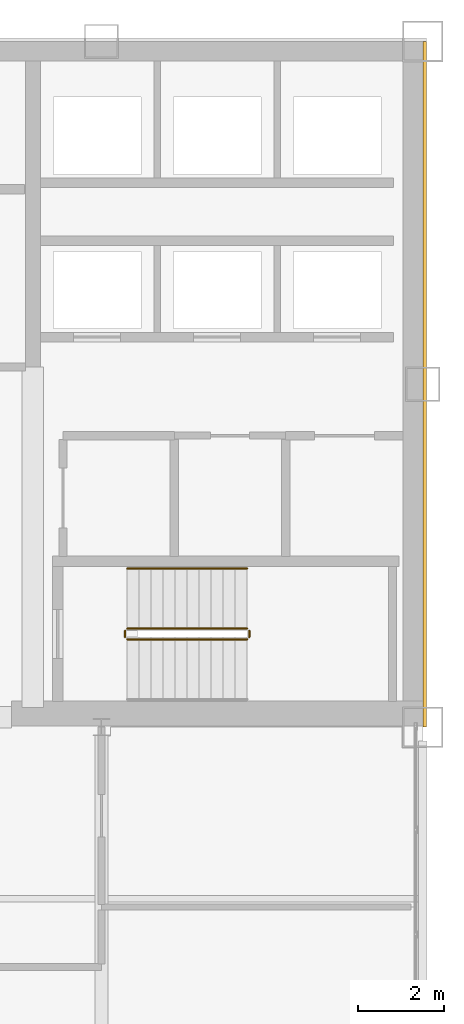
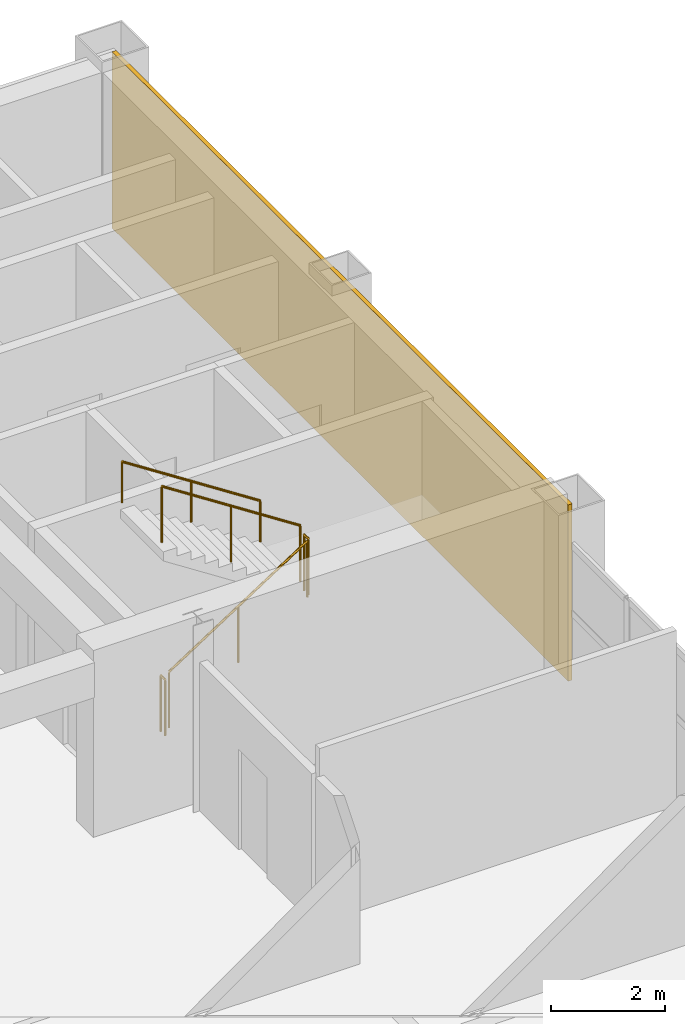
# One storey, part 12 of 14: 5 railings, 1 covering.
"""IFC4 building model written with IfcOpenShell, lengths in metres."""

from ifc_helpers import new_model, si_unit, direction, frame, origin, origin_2d, place, context, subcontext, project, spatial, rectangle, circle, extrude, material, layer, layer_set, type_object, element, save


model = new_model("IFC4")

# Units and contexts
model_context = context("Model", 3, precision=1e-05, world=origin(), true_north=direction((0.0, 1.0)))
body_context = subcontext(model_context, "Body", "Model", "MODEL_VIEW")
ifc_project = project(units=[si_unit("LENGTHUNIT", "METRE"), si_unit("AREAUNIT", "SQUARE_METRE"), si_unit("VOLUMEUNIT", "CUBIC_METRE"), si_unit("PLANEANGLEUNIT", "RADIAN"), si_unit("MASSUNIT", "GRAM", prefix="KILO")], contexts=[model_context])

# Site, building, storey
site_placement = place(None, origin())
site = spatial("IfcSite", under=ifc_project, at=site_placement, CompositionType="ELEMENT")
building_placement = place(site_placement, origin())
building = spatial("IfcBuilding", under=site, at=building_placement, Name="Qianrong Seaharbour Tower", CompositionType="ELEMENT")
storey_placement = place(building_placement, frame((0.0, 0.0, 209.800048828125)))
storey = spatial("IfcBuildingStorey", under=building, at=storey_placement, Name="L50", CompositionType="ELEMENT", Elevation=209.800048828125)

# Covering
ifc_material_1 = material(Name="Unitised red brick cladding on Precast concrete C45/55", Category="masonry")
ifc_layer = layer(ifc_material_1, 0.080078125)
ifc_layer_set = layer_set([ifc_layer], Name="Unitised red brick cladding on Precast concrete C45/55")
covering_type = type_object("IfcCoveringType", Name="COV-CLAD-RED-BRICK-80", PredefinedType="CLADDING", material=ifc_layer_set)
covering_placement = place(storey_placement, frame((64.0400390625, 44.0, 0.0), z_axis=(0.0, 0.0, 1.0), x_axis=(1.0, 0.0, 0.0)))
element("IfcCovering", 1, at=covering_placement, inside=storey, type_object=covering_type, Name="L50 East Core Brick Veneer Cladding", PredefinedType="CLADDING", context=body_context, shape_type="SweptSolid", body=[
    extrude(rectangle(XDim=0.080078125, YDim=16.0, at=origin_2d()), origin(), (0.0, 0.0, 1.0), 3.77490234375),
])

# Railings
ifc_material_2 = material(Name="Galvanized painted steel SN400B stair guard", Category="steel")
railing_type_1 = type_object("IfcRailingType", Name="RAIL-STAIR-GUARD-1220", PredefinedType="GUARDRAIL", material=ifc_material_2)
railing_1_placement = place(storey_placement, frame((57.10009765625, 38.050048828125, 0.181884765625)))
element("IfcRailing", 2, at=railing_1_placement, inside=storey, type_object=railing_type_1, Name="L50 ST-2 stair guard 1", PredefinedType="GUARDRAIL", context=body_context, shape_type="SweptSolid", body=[
    extrude(circle(Radius=0.02392578125, at=origin_2d()), frame((0.0, 0.0, 1.19580078125), z_axis=(0.83868413941, 0.0, 0.544618136222), x_axis=(0.0, 1.0, 0.0)), (0.0, 0.0, 1.0), 3.33837890625),
    extrude(circle(Radius=0.02099609375, at=origin_2d()), origin(), (0.0, 0.0, 1.0), 1.171875),
    extrude(circle(Radius=0.02099609375, at=origin_2d()), frame((1.39990234375, 0.0, 0.9091796875)), (0.0, 0.0, 1.0), 1.171875),
    extrude(circle(Radius=0.02099609375, at=origin_2d()), frame((2.7998046875, 0.0, 1.818115234375)), (0.0, 0.0, 1.0), 1.171875),
])
railing_2_placement = place(storey_placement, frame((59.949951171875, 38.10009765625, 2.0)))
element("IfcRailing", 3, at=railing_2_placement, inside=storey, type_object=railing_type_1, Name="L50 ST-2 stair guard 2", PredefinedType="GUARDRAIL", context=body_context, shape_type="SweptSolid", body=[
    extrude(circle(Radius=0.02392578125, at=origin_2d()), frame((0.0, 0.0, 1.19580078125), z_axis=(0.0, 1.0, 0.0), x_axis=(-1.0, 0.0, 0.0)), (0.0, 0.0, 1.0), 0.14990234375),
    extrude(circle(Radius=0.02099609375, at=origin_2d()), origin(), (0.0, 0.0, 1.0), 1.171875),
    extrude(circle(Radius=0.02099609375, at=origin_2d()), frame((0.0, 0.14990234375, 0.0)), (0.0, 0.0, 1.0), 1.171875),
])
railing_3_placement = place(storey_placement, frame((59.89990234375, 38.300048828125, 2.181884765625)))
element("IfcRailing", 4, at=railing_3_placement, inside=storey, type_object=railing_type_1, Name="L50 ST-2 stair guard 3", PredefinedType="GUARDRAIL", context=body_context, shape_type="SweptSolid", body=[
    extrude(circle(Radius=0.02392578125, at=origin_2d()), frame((0.0, 0.0, 1.19580078125), z_axis=(-0.83868413941, 0.0, 0.544618136222), x_axis=(0.0, -1.0, 0.0)), (0.0, 0.0, 1.0), 3.33837890625),
    extrude(circle(Radius=0.02099609375, at=origin_2d()), origin(), (0.0, 0.0, 1.0), 1.171875),
    extrude(circle(Radius=0.02099609375, at=origin_2d()), frame((-1.39990234375, 0.0, 0.9091796875)), (0.0, 0.0, 1.0), 1.171875),
    extrude(circle(Radius=0.02099609375, at=origin_2d()), frame((-2.7998046875, 0.0, 1.818115234375)), (0.0, 0.0, 1.0), 1.171875),
])
railing_4_placement = place(storey_placement, frame((57.050048828125, 38.10009765625, 0.0)))
element("IfcRailing", 5, at=railing_4_placement, inside=storey, type_object=railing_type_1, Name="L50 ST-2 stair guard 4", PredefinedType="GUARDRAIL", context=body_context, shape_type="SweptSolid", body=[
    extrude(circle(Radius=0.02392578125, at=origin_2d()), frame((0.0, 0.0, 1.19580078125), z_axis=(0.0, 1.0, 0.0), x_axis=(-1.0, 0.0, 0.0)), (0.0, 0.0, 1.0), 0.14990234375),
    extrude(circle(Radius=0.02099609375, at=origin_2d()), origin(), (0.0, 0.0, 1.0), 1.171875),
    extrude(circle(Radius=0.02099609375, at=origin_2d()), frame((0.0, 0.14990234375, 0.0)), (0.0, 0.0, 1.0), 1.171875),
])
ifc_material_3 = material(Name="Stainless steel SUS316L continuous handrail", Category="steel")
railing_type_2 = type_object("IfcRailingType", Name="RAIL-STAIR-HANDRAIL-900", PredefinedType="HANDRAIL", material=ifc_material_3)
railing_5_placement = place(storey_placement, frame((59.89990234375, 39.699951171875, 2.181884765625)))
element("IfcRailing", 6, at=railing_5_placement, inside=storey, type_object=railing_type_2, Name="L50 ST-2 stair handrail 2", PredefinedType="HANDRAIL", context=body_context, shape_type="SweptSolid", body=[
    extrude(circle(Radius=0.02392578125, at=origin_2d()), frame((0.0, 0.0, 0.8759765625), z_axis=(-0.83868413941, 0.0, 0.544618136222), x_axis=(0.0, -1.0, 0.0)), (0.0, 0.0, 1.0), 3.33837890625),
    extrude(circle(Radius=0.02099609375, at=origin_2d()), origin(), (0.0, 0.0, 1.0), 0.851806640625),
    extrude(circle(Radius=0.02099609375, at=origin_2d()), frame((-1.39990234375, 0.0, 0.9091796875)), (0.0, 0.0, 1.0), 0.851806640625),
    extrude(circle(Radius=0.02099609375, at=origin_2d()), frame((-2.7998046875, 0.0, 1.818115234375)), (0.0, 0.0, 1.0), 0.851806640625),
])

save(model, "model.ifc")
